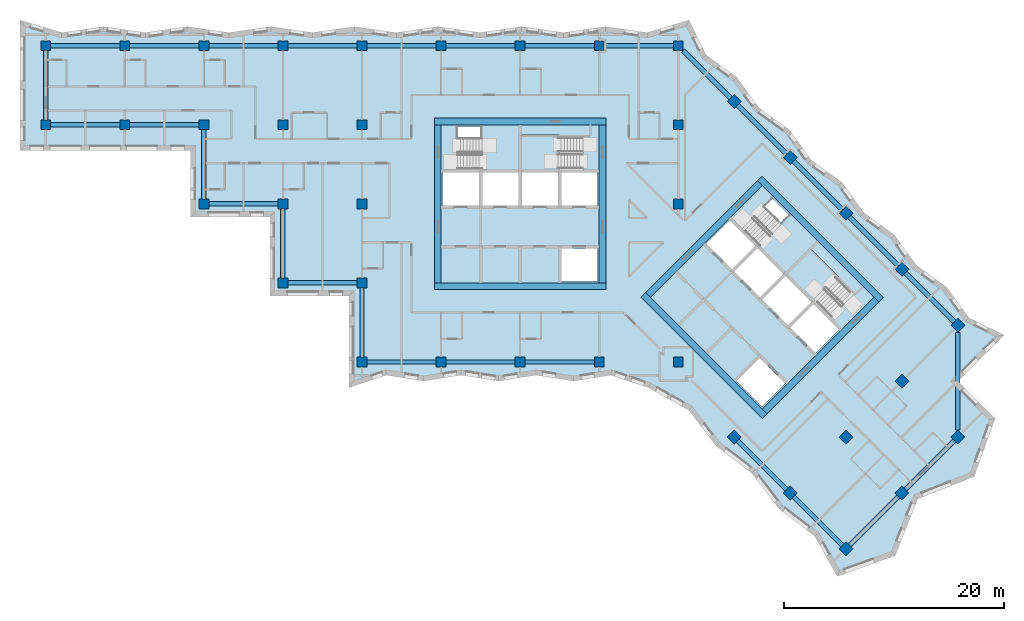
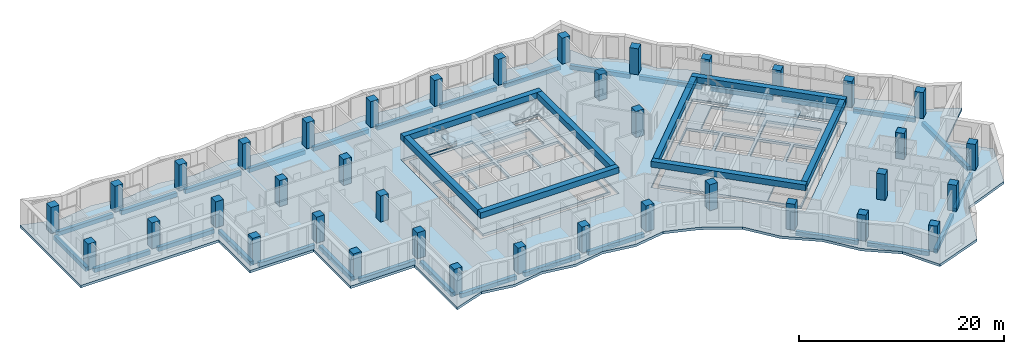
# One storey, part 1 of 12: 38 columns, 37 beams, 7 slabs, 16 openings, 4 elements without a shape of their own.
"""IFC4 building model written with IfcOpenShell, lengths in metres."""

from ifc_helpers import new_model, si_unit, direction, frame, origin, origin_2d, place, context, subcontext, project, spatial, polyline, rectangle, outline, extrude, material, layer, layer_set, material_profile, profile_set, type_object, element, aggregate, save


model = new_model("IFC4")

# Units and contexts
model_context = context("Model", 3, precision=1e-05, world=origin(), true_north=direction((0.0, 1.0)))
body_context = subcontext(model_context, "Body", "Model", "MODEL_VIEW")
ifc_project = project(units=[si_unit("LENGTHUNIT", "METRE"), si_unit("AREAUNIT", "SQUARE_METRE"), si_unit("VOLUMEUNIT", "CUBIC_METRE"), si_unit("PLANEANGLEUNIT", "RADIAN"), si_unit("MASSUNIT", "GRAM", prefix="KILO")], contexts=[model_context])

# Site, building, storey
site_placement = place(None, origin())
site = spatial("IfcSite", under=ifc_project, at=site_placement, CompositionType="ELEMENT")
building_placement = place(site_placement, origin())
building = spatial("IfcBuilding", under=site, at=building_placement, Name="Windrow Commons", CompositionType="ELEMENT")
storey_placement = place(building_placement, frame((0.0, 0.0, 162.6)))
storey = spatial("IfcBuildingStorey", under=building, at=storey_placement, Name="L44", CompositionType="ELEMENT", Elevation=162.6)

# Columns
ifc_material_1 = material(Name="Concrete C50/60", Category="concrete")
ifc_material_profile_1 = material_profile(ifc_material_1, rectangle(XDim=0.9, YDim=0.9, at=origin_2d()))
ifc_profile_set_1 = profile_set([ifc_material_profile_1], Name="Concrete C50/60")
column_type = type_object("IfcColumnType", Name="RC COLUMN 900x900 C50/60", PredefinedType="COLUMN", material=ifc_profile_set_1)
for number, where, z_axis, x_axis, name in (
    (1, (21.6, 64.8, 0.0), (0.0, 0.0, 1.0), (1.0, 0.0, 0.0), "C-Z3-04I"),
    (2, (21.6, 72.0, 0.0), (0.0, 0.0, 1.0), (1.0, 0.0, 0.0), "C-Z3-04J"),
    (3, (28.8, 64.8, 0.0), (0.0, 0.0, 1.0), (1.0, 0.0, 0.0), "C-Z3-05I"),
    (4, (28.8, 72.0, 0.0), (0.0, 0.0, 1.0), (1.0, 0.0, 0.0), "C-Z3-05J"),
    (5, (36.0, 57.6, 0.0), (0.0, 0.0, 1.0), (1.0, 0.0, 0.0), "C-Z3-06H"),
    (6, (36.0, 64.8, 0.0), (0.0, 0.0, 1.0), (1.0, 0.0, 0.0), "C-Z3-06I"),
    (7, (36.0, 72.0, 0.0), (0.0, 0.0, 1.0), (1.0, 0.0, 0.0), "C-Z3-06J"),
    (8, (43.2, 50.4, 0.0), (0.0, 0.0, 1.0), (1.0, 0.0, 0.0), "C-Z3-07G"),
    (9, (43.2, 57.6, 0.0), (0.0, 0.0, 1.0), (1.0, 0.0, 0.0), "C-Z3-07H"),
    (10, (43.2, 64.8, 0.0), (0.0, 0.0, 1.0), (1.0, 0.0, 0.0), "C-Z3-07I"),
    (11, (43.2, 72.0, 0.0), (0.0, 0.0, 1.0), (1.0, 0.0, 0.0), "C-Z3-07J"),
    (12, (50.4, 43.2, 0.0), (0.0, 0.0, 1.0), (1.0, 0.0, 0.0), "C-Z3-08F"),
    (13, (50.4, 50.4, 0.0), (0.0, 0.0, 1.0), (1.0, 0.0, 0.0), "C-Z3-08G"),
    (14, (50.4, 57.6, 0.0), (0.0, 0.0, 1.0), (1.0, 0.0, 0.0), "C-Z3-08H"),
    (15, (50.4, 64.8, 0.0), (0.0, 0.0, 1.0), (1.0, 0.0, 0.0), "C-Z3-08I"),
    (16, (50.4, 72.0, 0.0), (0.0, 0.0, 1.0), (1.0, 0.0, 0.0), "C-Z3-08J"),
    (17, (57.6, 43.2, 0.0), (0.0, 0.0, 1.0), (1.0, 0.0, 0.0), "C-Z3-09F"),
    (18, (57.6, 72.0, 0.0), (0.0, 0.0, 1.0), (1.0, 0.0, 0.0), "C-Z3-09J"),
    (19, (64.8, 43.2, 0.0), (0.0, 0.0, 1.0), (1.0, 0.0, 0.0), "C-Z3-10F"),
    (20, (64.8, 72.0, 0.0), (0.0, 0.0, 1.0), (1.0, 0.0, 0.0), "C-Z3-10J"),
    (21, (72.0, 43.2, 0.0), (0.0, 0.0, 1.0), (1.0, 0.0, 0.0), "C-Z3-11F"),
    (22, (72.0, 72.0, 0.0), (0.0, 0.0, 1.0), (1.0, 0.0, 0.0), "C-Z3-11J"),
    (23, (79.2, 43.2, 0.0), (0.0, 0.0, 1.0), (1.0, 0.0, 0.0), "C-Z3-12F"),
    (24, (79.2, 57.6, 0.0), (0.0, 0.0, 1.0), (1.0, 0.0, 0.0), "C-Z3-12H"),
    (25, (79.2, 64.8, 0.0), (0.0, 0.0, 1.0), (1.0, 0.0, 0.0), "C-Z3-12I"),
    (26, (79.2, 72.0, 0.0), (0.0, 0.0, 1.0), (1.0, 0.0, 0.0), "C-Z3-12J"),
    (27, (84.2912, 66.9088, 0.0), (0.0, 0.0, 1.0), (0.7071067812, -0.7071067812, 0.0), "C-Z3-P2Q"),
    (28, (89.3823, 61.8177, 0.0), (0.0, 0.0, 1.0), (0.7071067812, -0.7071067812, 0.0), "C-Z3-P3Q"),
    (29, (94.4735, 56.7265, 0.0), (0.0, 0.0, 1.0), (0.7071067812, -0.7071067812, 0.0), "C-Z3-P4Q"),
    (30, (99.5647, 51.6353, 0.0), (0.0, 0.0, 1.0), (0.7071067812, -0.7071067812, 0.0), "C-Z3-P5Q"),
    (31, (84.2912, 36.3618, 0.0), (0.0, 0.0, 1.0), (0.7071067812, -0.7071067812, 0.0), "C-Z3-P5T"),
    (32, (104.6558, 46.5442, 0.0), (0.0, 0.0, 1.0), (0.7071067812, -0.7071067812, 0.0), "C-Z3-P6Q"),
    (33, (99.5647, 41.453, 0.0), (0.0, 0.0, 1.0), (0.7071067812, -0.7071067812, 0.0), "C-Z3-P6R"),
    (34, (94.4735, 36.3618, 0.0), (0.0, 0.0, 1.0), (0.7071067812, -0.7071067812, 0.0), "C-Z3-P6S"),
    (35, (89.3823, 31.2706, 0.0), (0.0, 0.0, 1.0), (0.7071067812, -0.7071067812, 0.0), "C-Z3-P6T"),
    (36, (104.6558, 36.3618, 0.0), (0.0, 0.0, 1.0), (0.7071067812, -0.7071067812, 0.0), "C-Z3-P7R"),
    (37, (99.5647, 31.2706, 0.0), (0.0, 0.0, 1.0), (0.7071067812, -0.7071067812, 0.0), "C-Z3-P7S"),
    (38, (94.4735, 26.1795, 0.0), (0.0, 0.0, 1.0), (0.7071067812, -0.7071067812, 0.0), "C-Z3-P7T"),
):
    element("IfcColumn", number, at=place(storey_placement, frame(where, z_axis=z_axis, x_axis=x_axis)), inside=storey, type_object=column_type, Name=name, PredefinedType="COLUMN", context=body_context, shape_type="SweptSolid", body=[
        extrude(rectangle(XDim=0.9, YDim=0.9, at=origin_2d()), origin(), (0.0, 0.0, 1.0), 3.1),
    ])

# Beams
ifc_material_2 = material(Name="Concrete C50/60", Category="concrete")
ifc_material_profile_2 = material_profile(ifc_material_2, rectangle(XDim=0.6, YDim=0.7, at=origin_2d()))
ifc_profile_set_2 = profile_set([ifc_material_profile_2], Name="Concrete C50/60")
beam_type_1 = type_object("IfcBeamType", Name="RC COUPLING BEAM 600x700 C50/60", PredefinedType="LINTEL", material=ifc_profile_set_2)
for number, where, z_axis, x_axis, name in (
    (39, (57.0, 50.1, 2.75), (1.0, 0.0, 0.0), (0.0, 1.0, 0.0), "Core A coupling beam outer-S"),
    (40, (57.0, 65.1, 2.75), (1.0, 0.0, 0.0), (0.0, 1.0, 0.0), "Core A coupling beam outer-N"),
):
    element("IfcBeam", number, at=place(storey_placement, frame(where, z_axis=z_axis, x_axis=x_axis)), inside=storey, type_object=beam_type_1, Name=name, PredefinedType="LINTEL", context=body_context, shape_type="SweptSolid", body=[
        extrude(rectangle(XDim=0.6, YDim=0.7, at=origin_2d()), origin(), (0.0, 0.0, 1.0), 15.6),
    ])
for number, where, z_axis, x_axis, name in (
    (41, (57.3, 50.4, 2.75), (0.0, 1.0, 0.0), (-1.0, 0.0, 0.0), "Core A coupling beam outer-W"),
    (42, (72.3, 50.4, 2.75), (0.0, 1.0, 0.0), (-1.0, 0.0, 0.0), "Core A coupling beam outer-E"),
):
    element("IfcBeam", number, at=place(storey_placement, frame(where, z_axis=z_axis, x_axis=x_axis)), inside=storey, type_object=beam_type_1, Name=name, PredefinedType="LINTEL", context=body_context, shape_type="SweptSolid", body=[
        extrude(rectangle(XDim=0.6, YDim=0.7, at=origin_2d()), origin(), (0.0, 0.0, 1.0), 14.4),
    ])
for number, where, z_axis, x_axis, name in (
    (43, (76.018, 49.3019, 2.75), (0.7071067812, -0.7071067812, 0.0), (0.7071067812, 0.7071067812, 0.0), "Core B coupling beam outer-S"),
    (44, (86.6246, 59.9085, 2.75), (0.7071067812, -0.7071067812, 0.0), (0.7071067812, 0.7071067812, 0.0), "Core B coupling beam outer-N"),
):
    element("IfcBeam", number, at=place(storey_placement, frame(where, z_axis=z_axis, x_axis=x_axis)), inside=storey, type_object=beam_type_1, Name=name, PredefinedType="LINTEL", context=body_context, shape_type="SweptSolid", body=[
        extrude(rectangle(XDim=0.6, YDim=0.7, at=origin_2d()), origin(), (0.0, 0.0, 1.0), 15.6),
    ])
for number, where, z_axis, x_axis, name in (
    (45, (76.4423, 49.3019, 2.75), (0.7071067812, 0.7071067812, 0.0), (-0.7071067812, 0.7071067812, 0.0), "Core B coupling beam outer-W"),
    (46, (87.0489, 38.6953, 2.75), (0.7071067812, 0.7071067812, 0.0), (-0.7071067812, 0.7071067812, 0.0), "Core B coupling beam outer-E"),
):
    element("IfcBeam", number, at=place(storey_placement, frame(where, z_axis=z_axis, x_axis=x_axis)), inside=storey, type_object=beam_type_1, Name=name, PredefinedType="LINTEL", context=body_context, shape_type="SweptSolid", body=[
        extrude(rectangle(XDim=0.6, YDim=0.7, at=origin_2d()), origin(), (0.0, 0.0, 1.0), 14.3999),
    ])
ifc_material_3 = material(Name="Concrete C50/60", Category="concrete")
ifc_material_profile_3 = material_profile(ifc_material_3, rectangle(XDim=0.4, YDim=0.5, at=origin_2d()))
ifc_profile_set_3 = profile_set([ifc_material_profile_3], Name="Concrete C50/60")
beam_type_2 = type_object("IfcBeamType", Name="RC EDGE BEAM 400x500 C50/60", PredefinedType="SPANDREL", material=ifc_profile_set_3)
for number, where, z_axis, x_axis, name in (
    (47, (36.0, 58.05, -0.55), (0.0, 1.0, 0.0), (-1.0, 0.0, 0.0), "Edge beam L44 001"),
    (48, (35.55, 64.8, -0.55), (-1.0, 0.0, 0.0), (0.0, -1.0, 0.0), "Edge beam L44 002"),
    (49, (28.35, 64.8, -0.55), (-1.0, 0.0, 0.0), (0.0, -1.0, 0.0), "Edge beam L44 003"),
    (50, (21.6, 65.25, -0.55), (0.0, 1.0, 0.0), (-1.0, 0.0, 0.0), "Edge beam L44 004"),
    (51, (22.05, 72.0, -0.55), (1.0, 0.0, 0.0), (0.0, 1.0, 0.0), "Edge beam L44 005"),
    (52, (29.25, 72.0, -0.55), (1.0, 0.0, 0.0), (0.0, 1.0, 0.0), "Edge beam L44 006"),
    (53, (36.45, 72.0, -0.55), (1.0, 0.0, 0.0), (0.0, 1.0, 0.0), "Edge beam L44 007"),
    (54, (43.65, 72.0, -0.55), (1.0, 0.0, 0.0), (0.0, 1.0, 0.0), "Edge beam L44 008"),
    (55, (50.85, 72.0, -0.55), (1.0, 0.0, 0.0), (0.0, 1.0, 0.0), "Edge beam L44 009"),
    (56, (58.05, 72.0, -0.55), (1.0, 0.0, 0.0), (0.0, 1.0, 0.0), "Edge beam L44 010"),
    (57, (65.25, 72.0, -0.55), (1.0, 0.0, 0.0), (0.0, 1.0, 0.0), "Edge beam L44 011"),
    (58, (72.45, 72.0, -0.55), (1.0, 0.0, 0.0), (0.0, 1.0, 0.0), "Edge beam L44 012"),
):
    element("IfcBeam", number, at=place(storey_placement, frame(where, z_axis=z_axis, x_axis=x_axis)), inside=storey, type_object=beam_type_2, Name=name, PredefinedType="SPANDREL", context=body_context, shape_type="SweptSolid", body=[
        extrude(rectangle(XDim=0.4, YDim=0.5, at=origin_2d()), origin(), (0.0, 0.0, 1.0), 6.3),
    ])
beam_1_placement = place(storey_placement, frame((79.65, 71.55, -0.55), z_axis=(0.7071067812, -0.7071067812, 0.0), x_axis=(0.7071067812, 0.7071067812, 0.0)))
element("IfcBeam", 59, at=beam_1_placement, inside=storey, type_object=beam_type_2, Name="Edge beam L44 013", PredefinedType="SPANDREL", context=body_context, shape_type="SweptSolid", body=[
    extrude(rectangle(XDim=0.4, YDim=0.5, at=origin_2d()), origin(), (0.0, 0.0, 1.0), 6.1136),
])
beam_2_placement = place(storey_placement, frame((84.6094, 66.5906, -0.55), z_axis=(0.7071067812, -0.7071067812, 0.0), x_axis=(0.7071067812, 0.7071067812, 0.0)))
element("IfcBeam", 60, at=beam_2_placement, inside=storey, type_object=beam_type_2, Name="Edge beam L44 014", PredefinedType="SPANDREL", context=body_context, shape_type="SweptSolid", body=[
    extrude(rectangle(XDim=0.4, YDim=0.5, at=origin_2d()), origin(), (0.0, 0.0, 1.0), 6.2999),
])
for number, where, z_axis, x_axis, name in (
    (61, (89.7005, 61.4995, -0.55), (0.7071067812, -0.7071067812, 0.0), (0.7071067812, 0.7071067812, 0.0), "Edge beam L44 015"),
    (62, (94.7917, 56.4083, -0.55), (0.7071067812, -0.7071067812, 0.0), (0.7071067812, 0.7071067812, 0.0), "Edge beam L44 016"),
):
    element("IfcBeam", number, at=place(storey_placement, frame(where, z_axis=z_axis, x_axis=x_axis)), inside=storey, type_object=beam_type_2, Name=name, PredefinedType="SPANDREL", context=body_context, shape_type="SweptSolid", body=[
        extrude(rectangle(XDim=0.4, YDim=0.5, at=origin_2d()), origin(), (0.0, 0.0, 1.0), 6.3),
    ])
beam_3_placement = place(storey_placement, frame((99.8829, 51.3171, -0.55), z_axis=(0.7071067812, -0.7071067812, 0.0), x_axis=(0.7071067812, 0.7071067812, 0.0)))
element("IfcBeam", 63, at=beam_3_placement, inside=storey, type_object=beam_type_2, Name="Edge beam L44 017", PredefinedType="SPANDREL", context=body_context, shape_type="SweptSolid", body=[
    extrude(rectangle(XDim=0.4, YDim=0.5, at=origin_2d()), origin(), (0.0, 0.0, 1.0), 6.2999),
])
beam_4_placement = place(storey_placement, frame((104.6558, 45.9078, -0.55), z_axis=(0.0, -1.0, 0.0), x_axis=(1.0, 0.0, 0.0)))
element("IfcBeam", 64, at=beam_4_placement, inside=storey, type_object=beam_type_2, Name="Edge beam L44 018", PredefinedType="SPANDREL", context=body_context, shape_type="SweptSolid", body=[
    extrude(rectangle(XDim=0.4, YDim=0.5, at=origin_2d()), origin(), (0.0, 0.0, 1.0), 8.9096),
])
for number, where, z_axis, x_axis, name in (
    (65, (104.3376, 36.0436, -0.55), (-0.7070988446, -0.7071147177, 0.0), (0.7071147177, -0.7070988446, 0.0), "Edge beam L44 019"),
    (66, (99.2465, 30.9524, -0.55), (-0.7071147177, -0.7070988446, 0.0), (0.7070988446, -0.7071147177, 0.0), "Edge beam L44 020"),
    (67, (94.1553, 26.4977, -0.55), (-0.7071147177, 0.7070988446, 0.0), (-0.7070988446, -0.7071147177, 0.0), "Edge beam L44 021"),
    (68, (89.0641, 31.5888, -0.55), (-0.7070988446, 0.7071147177, 0.0), (-0.7071147177, -0.7070988446, 0.0), "Edge beam L44 022"),
    (69, (71.55, 43.2, -0.55), (-1.0, 0.0, 0.0), (0.0, -1.0, 0.0), "Edge beam L44 023"),
    (70, (64.35, 43.2, -0.55), (-1.0, 0.0, 0.0), (0.0, -1.0, 0.0), "Edge beam L44 024"),
    (71, (57.15, 43.2, -0.55), (-1.0, 0.0, 0.0), (0.0, -1.0, 0.0), "Edge beam L44 025"),
    (72, (50.4, 43.65, -0.55), (0.0, 1.0, 0.0), (-1.0, 0.0, 0.0), "Edge beam L44 026"),
    (73, (49.95, 50.4, -0.55), (-1.0, 0.0, 0.0), (0.0, -1.0, 0.0), "Edge beam L44 027"),
    (74, (43.2, 50.85, -0.55), (0.0, 1.0, 0.0), (-1.0, 0.0, 0.0), "Edge beam L44 028"),
    (75, (42.75, 57.6, -0.55), (-1.0, 0.0, 0.0), (0.0, -1.0, 0.0), "Edge beam L44 029"),
):
    element("IfcBeam", number, at=place(storey_placement, frame(where, z_axis=z_axis, x_axis=x_axis)), inside=storey, type_object=beam_type_2, Name=name, PredefinedType="SPANDREL", context=body_context, shape_type="SweptSolid", body=[
        extrude(rectangle(XDim=0.4, YDim=0.5, at=origin_2d()), origin(), (0.0, 0.0, 1.0), 6.3),
    ])

# Slab, openings
ifc_material_4 = material(Name="Concrete C50/60", Category="concrete")
ifc_layer_1 = layer(ifc_material_4, 0.3)
ifc_layer_set_1 = layer_set([ifc_layer_1], Name="CORE FLOOR SLAB 300 C50/60")
slab_type_1 = type_object("IfcSlabType", Name="CORE FLOOR SLAB 300 C50/60", PredefinedType="FLOOR", material=ifc_layer_set_1)
placement_1 = place(storey_placement, frame((0.0, 0.0, -0.3)))
slab_1 = element("IfcSlab", 76, at=placement_1, inside=storey, type_object=slab_type_1, Name="S-L44-core-A", PredefinedType="FLOOR", context=body_context, shape_type="SweptSolid", body=[
    extrude(outline(polyline([(57.6, 50.4), (72.0, 50.4), (72.0, 64.8), (57.6, 64.8), (57.6, 50.4)]), holes=[polyline([(68.55, 50.55), (71.85, 50.55), (71.85, 53.55), (68.55, 53.55), (68.55, 50.55)]), polyline([(57.75, 57.45), (61.05, 57.45), (61.05, 60.45), (57.75, 60.45), (57.75, 57.45)]), polyline([(61.35, 57.45), (64.65, 57.45), (64.65, 60.45), (61.35, 60.45), (61.35, 57.45)]), polyline([(64.95, 57.45), (68.25, 57.45), (68.25, 60.45), (64.95, 60.45), (64.95, 57.45)]), polyline([(68.55, 57.45), (71.85, 57.45), (71.85, 60.45), (68.55, 60.45), (68.55, 57.45)]), polyline([(59.1, 60.75), (64.65, 60.75), (64.65, 64.65), (59.1, 64.65), (59.1, 60.75)]), polyline([(64.95, 60.75), (70.5, 60.75), (70.5, 63.705), (64.95, 63.705), (64.95, 60.75)])]), origin(), (0.0, 0.0, 1.0), 0.3),
])
opening_1_placement = place(placement_1, origin())
element("IfcOpeningElement", 77, at=opening_1_placement, cuts=slab_1, Name="Slab opening S-L44-core-A 1", PredefinedType="OPENING", context=body_context, shape_type="SweptSolid", body=[
    extrude(outline(polyline([(68.555, 50.555), (68.555, 53.545), (71.845, 53.545), (71.845, 50.555), (68.555, 50.555)])), origin(), (0.0, 0.0, 1.0), 0.3),
])
opening_2_placement = place(placement_1, origin())
element("IfcOpeningElement", 78, at=opening_2_placement, cuts=slab_1, Name="Slab opening S-L44-core-A 2", PredefinedType="OPENING", context=body_context, shape_type="SweptSolid", body=[
    extrude(outline(polyline([(57.755, 57.455), (57.755, 60.445), (61.045, 60.445), (61.045, 57.455), (57.755, 57.455)])), origin(), (0.0, 0.0, 1.0), 0.3),
])
opening_3_placement = place(placement_1, origin())
element("IfcOpeningElement", 79, at=opening_3_placement, cuts=slab_1, Name="Slab opening S-L44-core-A 3", PredefinedType="OPENING", context=body_context, shape_type="SweptSolid", body=[
    extrude(outline(polyline([(61.355, 57.455), (61.355, 60.445), (64.645, 60.445), (64.645, 57.455), (61.355, 57.455)])), origin(), (0.0, 0.0, 1.0), 0.3),
])
opening_4_placement = place(placement_1, origin())
element("IfcOpeningElement", 80, at=opening_4_placement, cuts=slab_1, Name="Slab opening S-L44-core-A 4", PredefinedType="OPENING", context=body_context, shape_type="SweptSolid", body=[
    extrude(outline(polyline([(64.955, 57.455), (64.955, 60.445), (68.245, 60.445), (68.245, 57.455), (64.955, 57.455)])), origin(), (0.0, 0.0, 1.0), 0.3),
])
opening_5_placement = place(placement_1, origin())
element("IfcOpeningElement", 81, at=opening_5_placement, cuts=slab_1, Name="Slab opening S-L44-core-A 5", PredefinedType="OPENING", context=body_context, shape_type="SweptSolid", body=[
    extrude(outline(polyline([(68.555, 57.455), (68.555, 60.445), (71.845, 60.445), (71.845, 57.455), (68.555, 57.455)])), origin(), (0.0, 0.0, 1.0), 0.3),
])
opening_6_placement = place(placement_1, origin())
element("IfcOpeningElement", 82, at=opening_6_placement, cuts=slab_1, Name="Slab opening S-L44-core-A 6", PredefinedType="OPENING", context=body_context, shape_type="SweptSolid", body=[
    extrude(outline(polyline([(59.105, 60.755), (59.105, 64.645), (64.645, 64.645), (64.645, 60.755), (59.105, 60.755)])), origin(), (0.0, 0.0, 1.0), 0.3),
])
opening_7_placement = place(placement_1, origin())
element("IfcOpeningElement", 83, at=opening_7_placement, cuts=slab_1, Name="Slab opening S-L44-core-A 7", PredefinedType="OPENING", context=body_context, shape_type="SweptSolid", body=[
    extrude(outline(polyline([(64.955, 60.755), (64.955, 63.7), (70.495, 63.7), (70.495, 60.755), (64.955, 60.755)])), origin(), (0.0, 0.0, 1.0), 0.3),
])

slab_2 = element("IfcSlab", 84, at=placement_1, inside=storey, type_object=slab_type_1, Name="S-L44-core-B", PredefinedType="FLOOR", context=body_context, shape_type="SweptSolid", body=[
    extrude(outline(polyline([(76.6544, 49.0897), (86.8368, 38.9074), (97.0191, 49.0897), (86.8368, 59.2721), (76.6544, 49.0897)]), holes=[polyline([(84.5033, 41.453), (86.8368, 39.1195), (88.9581, 41.2409), (86.6246, 43.5743), (84.5033, 41.453)]), polyline([(81.7456, 53.9688), (84.079, 51.6353), (86.2004, 53.7566), (83.8669, 56.0901), (81.7456, 53.9688)]), polyline([(84.2912, 51.4232), (86.6246, 49.0897), (88.7459, 51.2111), (86.4125, 53.5445), (84.2912, 51.4232)]), polyline([(86.8368, 48.8776), (89.1702, 46.5442), (91.2915, 48.6655), (88.9581, 50.9989), (86.8368, 48.8776)]), polyline([(89.3823, 46.332), (91.7158, 43.9986), (93.8371, 46.1199), (91.5037, 48.4533), (89.3823, 46.332)]), polyline([(85.0336, 55.3476), (88.9581, 51.4232), (91.7158, 54.1809), (87.7913, 58.1054), (85.0336, 55.3476)]), polyline([(89.1702, 51.2111), (93.0946, 47.2866), (95.1841, 49.3761), (91.2597, 53.3006), (89.1702, 51.2111)])]), origin(), (0.0, 0.0, 1.0), 0.3),
])
opening_8_placement = place(placement_1, origin())
element("IfcOpeningElement", 85, at=opening_8_placement, cuts=slab_2, Name="Slab opening S-L44-core-B 1", PredefinedType="OPENING", context=body_context, shape_type="SweptSolid", body=[
    extrude(outline(polyline([(84.5104, 41.453), (86.6246, 43.5672), (88.951, 41.2409), (86.8368, 39.1266), (84.5104, 41.453)])), origin(), (0.0, 0.0, 1.0), 0.3),
])
opening_9_placement = place(placement_1, origin())
element("IfcOpeningElement", 86, at=opening_9_placement, cuts=slab_2, Name="Slab opening S-L44-core-B 2", PredefinedType="OPENING", context=body_context, shape_type="SweptSolid", body=[
    extrude(outline(polyline([(81.7527, 53.9688), (83.8669, 56.083), (86.1933, 53.7566), (84.079, 51.6424), (81.7527, 53.9688)])), origin(), (0.0, 0.0, 1.0), 0.3),
])
opening_10_placement = place(placement_1, origin())
element("IfcOpeningElement", 87, at=opening_10_placement, cuts=slab_2, Name="Slab opening S-L44-core-B 3", PredefinedType="OPENING", context=body_context, shape_type="SweptSolid", body=[
    extrude(outline(polyline([(84.2983, 51.4232), (86.4125, 53.5374), (88.7388, 51.2111), (86.6246, 49.0968), (84.2983, 51.4232)])), origin(), (0.0, 0.0, 1.0), 0.3),
])
opening_11_placement = place(placement_1, origin())
element("IfcOpeningElement", 88, at=opening_11_placement, cuts=slab_2, Name="Slab opening S-L44-core-B 4", PredefinedType="OPENING", context=body_context, shape_type="SweptSolid", body=[
    extrude(outline(polyline([(86.8439, 48.8776), (88.9581, 50.9918), (91.2844, 48.6655), (89.1702, 46.5513), (86.8439, 48.8776)])), origin(), (0.0, 0.0, 1.0), 0.3),
])
opening_12_placement = place(placement_1, origin())
element("IfcOpeningElement", 89, at=opening_12_placement, cuts=slab_2, Name="Slab opening S-L44-core-B 5", PredefinedType="OPENING", context=body_context, shape_type="SweptSolid", body=[
    extrude(outline(polyline([(89.3894, 46.332), (91.5037, 48.4462), (93.83, 46.1199), (91.7158, 44.0057), (89.3894, 46.332)])), origin(), (0.0, 0.0, 1.0), 0.3),
])
opening_13_placement = place(placement_1, origin())
element("IfcOpeningElement", 90, at=opening_13_placement, cuts=slab_2, Name="Slab opening S-L44-core-B 6", PredefinedType="OPENING", context=body_context, shape_type="SweptSolid", body=[
    extrude(outline(polyline([(85.0407, 55.3476), (87.7913, 58.0983), (91.7087, 54.1809), (88.9581, 51.4303), (85.0407, 55.3476)])), origin(), (0.0, 0.0, 1.0), 0.3),
])
opening_14_placement = place(placement_1, origin())
element("IfcOpeningElement", 91, at=opening_14_placement, cuts=slab_2, Name="Slab opening S-L44-core-B 7", PredefinedType="OPENING", context=body_context, shape_type="SweptSolid", body=[
    extrude(outline(polyline([(89.1773, 51.2111), (91.2597, 53.2935), (95.177, 49.3761), (93.0946, 47.2937), (89.1773, 51.2111)])), origin(), (0.0, 0.0, 1.0), 0.3),
])

# Stair, slab
ifc_material_5 = material(Name="Concrete C40/50", Category="concrete")
stair_type = type_object("IfcStairType", Name="Core stair", PredefinedType="HALF_TURN_STAIR", material=ifc_material_5)
placement_2 = place(storey_placement, origin())
stair_1 = element("IfcStair", 92, at=placement_2, inside=storey, type_object=stair_type, Name="L44 Exit stair A1 core A", PredefinedType="HALF_TURN_STAIR")
ifc_material_6 = material(Name="Concrete C40/50", Category="concrete")
ifc_layer_2 = layer(ifc_material_6, 0.2)
ifc_layer_set_2 = layer_set([ifc_layer_2], Name="Core stair landing")
slab_type_2 = type_object("IfcSlabType", Name="Core stair landing", PredefinedType="LANDING", material=ifc_layer_set_2)
placement_3 = place(storey_placement, frame((0.0, 0.0, 1.5)))
slab_3 = element("IfcSlab", 93, at=placement_3, type_object=slab_type_2, Name="ST-A1 landing 1", PredefinedType="LANDING", context=body_context, shape_type="SweptSolid", body=[
    extrude(outline(polyline([(61.22, 60.5), (64.8, 60.5), (64.8, 64.9), (61.22, 64.9), (61.22, 60.5)])), origin(), (0.0, 0.0, 1.0), 0.2),
])
aggregate(stair_1, [slab_3])

stair_2 = element("IfcStair", 94, at=placement_2, inside=storey, type_object=stair_type, Name="L44 Exit stair A2 core A", PredefinedType="HALF_TURN_STAIR")
slab_4 = element("IfcSlab", 95, at=placement_3, type_object=slab_type_2, Name="ST-A2 landing 1", PredefinedType="LANDING", context=body_context, shape_type="SweptSolid", body=[
    extrude(outline(polyline([(64.8, 60.5), (68.38, 60.5), (68.38, 63.855), (64.8, 63.855), (64.8, 60.5)])), origin(), (0.0, 0.0, 1.0), 0.2),
])
aggregate(stair_2, [slab_4])

stair_3 = element("IfcStair", 96, at=placement_2, inside=storey, type_object=stair_type, Name="L44 Exit stair B1 core B", PredefinedType="HALF_TURN_STAIR")
slab_5 = element("IfcSlab", 97, at=placement_3, type_object=slab_type_2, Name="ST-B1 landing 1", PredefinedType="LANDING", context=body_context, shape_type="SweptSolid", body=[
    extrude(outline(polyline([(86.3559, 53.6718), (88.8874, 51.1403), (91.9986, 54.2516), (89.4672, 56.7831), (86.3559, 53.6718)])), origin(), (0.0, 0.0, 1.0), 0.2),
])
aggregate(stair_3, [slab_5])

stair_4 = element("IfcStair", 98, at=placement_2, inside=storey, type_object=stair_type, Name="L44 Exit stair B2 core B", PredefinedType="HALF_TURN_STAIR")
slab_6 = element("IfcSlab", 99, at=placement_3, type_object=slab_type_2, Name="ST-B2 landing 1", PredefinedType="LANDING", context=body_context, shape_type="SweptSolid", body=[
    extrude(outline(polyline([(88.8874, 51.1403), (91.4188, 48.6089), (93.7911, 50.9812), (91.2597, 53.5127), (88.8874, 51.1403)])), origin(), (0.0, 0.0, 1.0), 0.2),
])
aggregate(stair_4, [slab_6])

# Slab, openings
ifc_material_7 = material(Name="Concrete C50/60", Category="concrete")
ifc_layer_3 = layer(ifc_material_7, 0.3)
ifc_layer_set_3 = layer_set([ifc_layer_3], Name="FLOOR SLAB 300 C50/60")
slab_type_3 = type_object("IfcSlabType", Name="FLOOR SLAB 300 C50/60", PredefinedType="FLOOR", material=ifc_layer_set_3)
slab_7 = element("IfcSlab", 100, at=placement_1, inside=storey, type_object=slab_type_3, Name="S-L44-floor", PredefinedType="FLOOR", context=body_context, shape_type="SweptSolid", body=[
    extrude(outline(polyline([(91.6096, 27.3463), (93.666, 23.6749), (98.959, 25.5738), (100.9994, 30.7255), (106.1511, 32.7658), (108.05, 38.0589), (104.6558, 41.453), (108.8575, 45.6546), (105.6594, 47.2377), (103.652, 50.0116), (100.8782, 52.0189), (98.8708, 54.7928), (96.0969, 56.8002), (94.0896, 59.574), (91.3157, 61.5814), (89.3083, 64.3553), (86.5345, 66.3626), (84.5271, 69.1365), (81.7532, 71.1439), (80.1701, 74.342), (76.3631, 73.2), (72.5561, 73.742), (68.7491, 73.2), (64.9421, 73.742), (61.1351, 73.2), (57.3281, 73.742), (53.5211, 73.2), (49.7141, 73.742), (45.9071, 73.2), (42.1, 73.742), (38.293, 73.2), (34.486, 73.742), (30.679, 73.2), (26.872, 73.742), (23.065, 73.2), (19.258, 74.342), (19.258, 62.458), (34.8, 62.458), (34.8, 56.4), (42.0, 56.4), (42.0, 49.2), (49.2, 49.2), (49.2, 40.858), (52.6104, 42.0), (56.0207, 41.458), (59.4311, 42.0), (62.8414, 41.458), (66.2518, 42.0), (69.6622, 41.458), (73.0725, 42.0), (76.4829, 40.858), (80.1542, 38.8017), (82.6348, 35.5546), (85.8819, 33.074), (88.3625, 29.8269), (91.6096, 27.3463)]), holes=[polyline([(75.8059, 49.0897), (86.8368, 60.1206), (97.8676, 49.0897), (86.8368, 38.0589), (75.8059, 49.0897)]), polyline([(57.0, 49.8), (57.0, 65.4), (72.6, 65.4), (72.6, 49.8), (57.0, 49.8)])]), origin(), (0.0, 0.0, 1.0), 0.3),
])
opening_15_placement = place(placement_1, origin())
element("IfcOpeningElement", 101, at=opening_15_placement, cuts=slab_7, Name="Slab opening S-L44-floor 1", PredefinedType="OPENING", context=body_context, shape_type="SweptSolid", body=[
    extrude(outline(polyline([(75.813, 49.0897), (86.8368, 60.1135), (97.8605, 49.0897), (86.8368, 38.066), (75.813, 49.0897)])), origin(), (0.0, 0.0, 1.0), 0.3),
])
opening_16_placement = place(placement_1, origin())
element("IfcOpeningElement", 102, at=opening_16_placement, cuts=slab_7, Name="Slab opening S-L44-floor 2", PredefinedType="OPENING", context=body_context, shape_type="SweptSolid", body=[
    extrude(outline(polyline([(57.005, 49.805), (57.005, 65.395), (72.595, 65.395), (72.595, 49.805), (57.005, 49.805)])), origin(), (0.0, 0.0, 1.0), 0.3),
])

save(model, "model.ifc")
